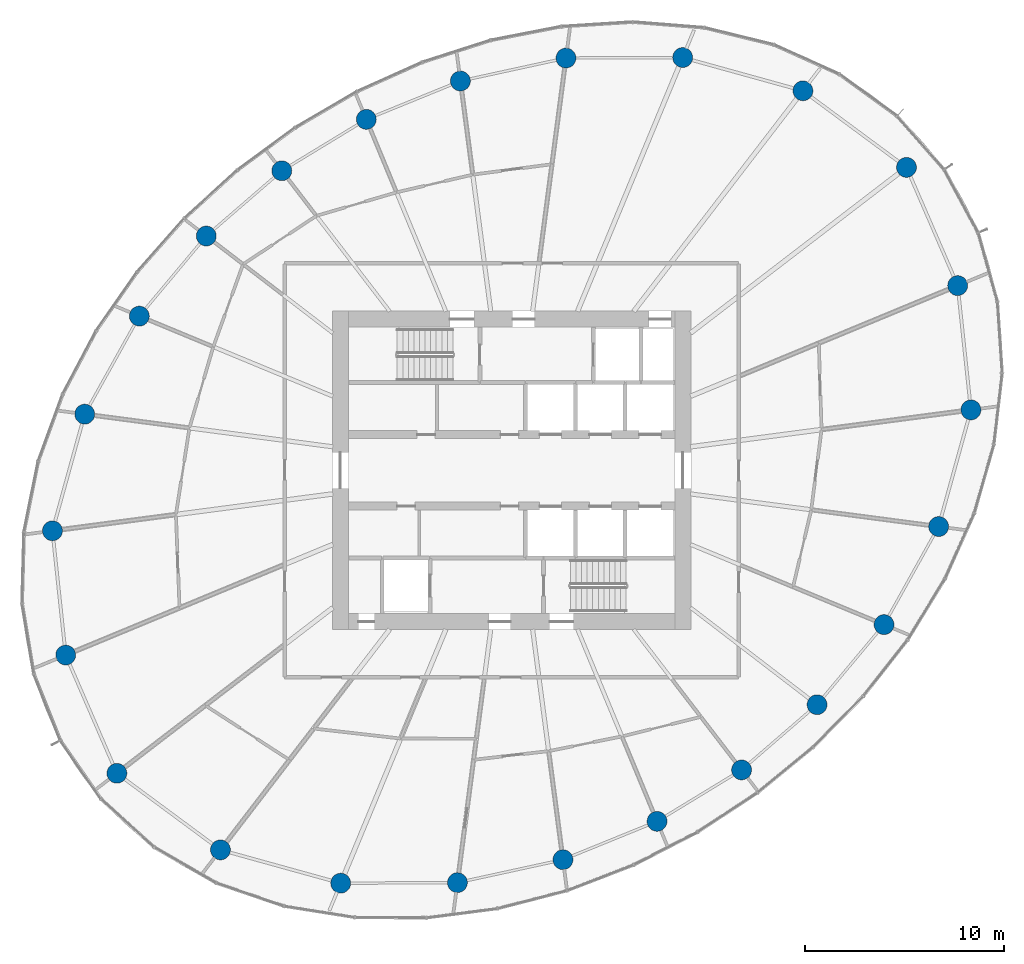
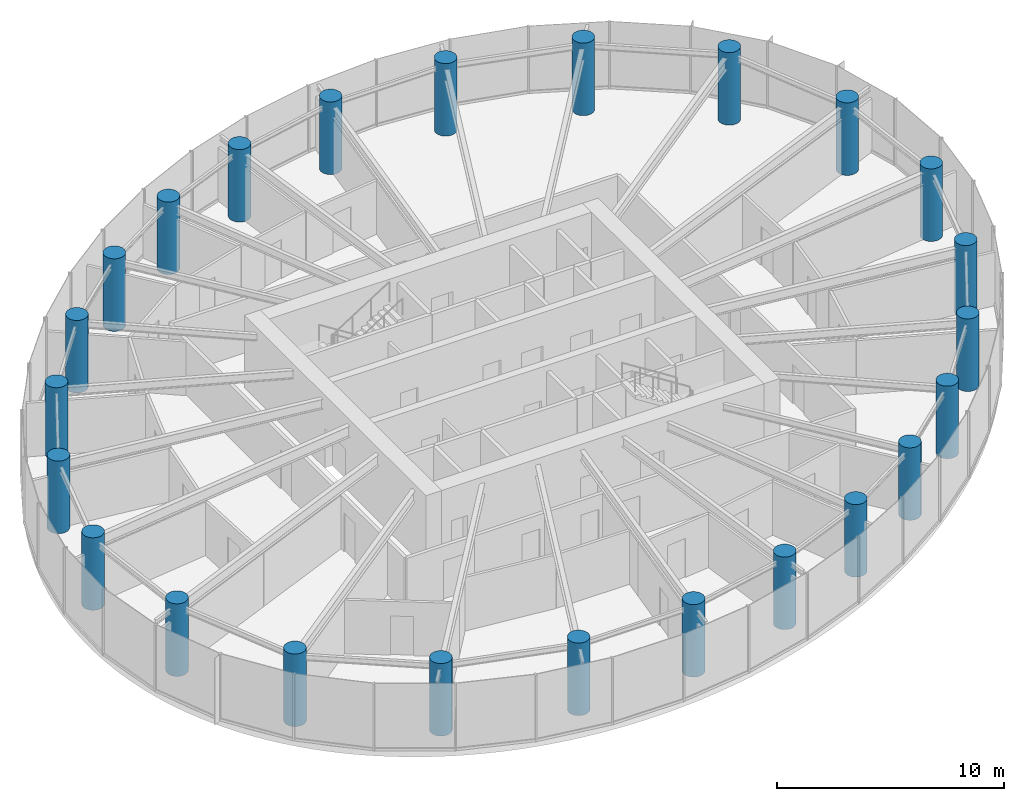
# One storey, part 1 of 14: 24 columns.
"""IFC4 building model written with IfcOpenShell, lengths in metres."""

from ifc_helpers import new_model, si_unit, direction, frame, origin, origin_2d, place, context, subcontext, project, spatial, circle, extrude, source, transform, mapped, material, material_profile, profile_set, type_object, element, save


model = new_model("IFC4")

# Units and contexts
model_context = context("Model", 3, precision=1e-05, world=origin(), true_north=direction((0.0, 1.0)))
body_context = subcontext(model_context, "Body", "Model", "MODEL_VIEW")
ifc_project = project(units=[si_unit("LENGTHUNIT", "METRE"), si_unit("AREAUNIT", "SQUARE_METRE"), si_unit("VOLUMEUNIT", "CUBIC_METRE"), si_unit("PLANEANGLEUNIT", "RADIAN"), si_unit("MASSUNIT", "GRAM", prefix="KILO")], contexts=[model_context])

# Site, building, storey
site_placement = place(None, origin())
site = spatial("IfcSite", under=ifc_project, at=site_placement, CompositionType="ELEMENT")
building_placement = place(site_placement, origin())
building = spatial("IfcBuilding", under=site, at=building_placement, Name="Spindrift Exchange Tower", CompositionType="ELEMENT")
storey_placement = place(building_placement, frame((0.0, 0.0, 160.39990234375)))
storey = spatial("IfcBuildingStorey", under=building, at=storey_placement, Name="L38", CompositionType="ELEMENT", Elevation=160.39990234375)

# Columns
ifc_material = material(Name="Concrete 50 MPa", Category="concrete")
ifc_material_profile = material_profile(ifc_material, circle(Radius=0.5, at=origin_2d()), Name="RC D1000")
ifc_profile_set = profile_set([ifc_material_profile], Name="Concrete 50 MPa")
column_type = type_object("IfcColumnType", Name="RC Perimeter Column D1000 Concrete 50 MPa", PredefinedType="COLUMN", material=ifc_profile_set)
shared_shape = source(origin(), body_context, "Body", "SweptSolid", [
    extrude(circle(Radius=0.5, at=origin_2d()), origin(), (0.0, 0.0, 1.0), 3.900146484375),
])
for number, where, z_axis, x_axis, name in (
    (1, (75.06201171875, 51.0361328125, 0.0), (0.0, 0.0, 1.0), (1.0, 0.0, 0.0), "Perimeter column P3-01 L38"),
    (2, (74.396728515625, 57.277099609375, 0.0), (0.0, 0.0, 1.0), (1.0, 0.0, 0.0), "Perimeter column P3-02 L38"),
    (3, (71.825927734375, 63.212890625, 0.0), (0.0, 0.0, 1.0), (1.0, 0.0, 0.0), "Perimeter column P3-03 L38"),
    (4, (66.625, 67.0595703125, 0.0), (0.0, 0.0, 1.0), (1.0, 0.0, 0.0), "Perimeter column P3-04 L38"),
    (5, (60.5869140625, 68.73095703125, 0.0), (0.0, 0.0, 1.0), (1.0, 0.0, 0.0), "Perimeter column P3-05 L38"),
    (6, (54.725830078125, 68.705322265625, 0.0), (0.0, 0.0, 1.0), (1.0, 0.0, 0.0), "Perimeter column P3-06 L38"),
    (7, (49.426025390625, 67.55126953125, 0.0), (0.0, 0.0, 1.0), (1.0, 0.0, 0.0), "Perimeter column P3-07 L38"),
    (8, (44.69921875, 65.625732421875, 0.0), (0.0, 0.0, 1.0), (1.0, 0.0, 0.0), "Perimeter column P3-08 L38"),
    (9, (40.4560546875, 63.04443359375, 0.0), (0.0, 0.0, 1.0), (1.0, 0.0, 0.0), "Perimeter column P3-09 L38"),
    (10, (36.663818359375, 59.76806640625, 0.0), (0.0, 0.0, 1.0), (1.0, 0.0, 0.0), "Perimeter column P3-10 L38"),
    (11, (33.30078125, 55.74560546875, 0.0), (0.0, 0.0, 1.0), (1.0, 0.0, 0.0), "Perimeter column P3-11 L38"),
    (12, (30.55908203125, 50.82275390625, 0.0), (0.0, 0.0, 1.0), (1.0, 0.0, 0.0), "Perimeter column P3-12 L38"),
    (13, (28.93798828125, 44.9638671875, 0.0), (0.0, 0.0, 1.0), (1.0, 0.0, 0.0), "Perimeter column P3-13 L38"),
    (14, (29.603271484375, 38.722900390625, 0.0), (0.0, 0.0, 1.0), (1.0, 0.0, 0.0), "Perimeter column P3-14 L38"),
    (15, (32.174072265625, 32.787109375, 0.0), (0.0, 0.0, 1.0), (1.0, 0.0, 0.0), "Perimeter column P3-15 L38"),
    (16, (37.375, 28.9404296875, 0.0), (0.0, 0.0, 1.0), (1.0, 0.0, 0.0), "Perimeter column P3-16 L38"),
    (17, (43.4130859375, 27.26904296875, 0.0), (0.0, 0.0, 1.0), (1.0, 0.0, 0.0), "Perimeter column P3-17 L38"),
    (18, (49.274169921875, 27.294677734375, 0.0), (0.0, 0.0, 1.0), (1.0, 0.0, 0.0), "Perimeter column P3-18 L38"),
    (19, (54.573974609375, 28.44873046875, 0.0), (0.0, 0.0, 1.0), (1.0, 0.0, 0.0), "Perimeter column P3-19 L38"),
    (20, (59.30078125, 30.374267578125, 0.0), (0.0, 0.0, 1.0), (1.0, 0.0, 0.0), "Perimeter column P3-20 L38"),
    (21, (63.5439453125, 32.95556640625, 0.0), (0.0, 0.0, 1.0), (1.0, 0.0, 0.0), "Perimeter column P3-21 L38"),
    (22, (67.336181640625, 36.23193359375, 0.0), (0.0, 0.0, 1.0), (1.0, 0.0, 0.0), "Perimeter column P3-22 L38"),
    (23, (70.69921875, 40.25439453125, 0.0), (0.0, 0.0, 1.0), (1.0, 0.0, 0.0), "Perimeter column P3-23 L38"),
    (24, (73.44091796875, 45.17724609375, 0.0), (0.0, 0.0, 1.0), (1.0, 0.0, 0.0), "Perimeter column P3-24 L38"),
):
    element("IfcColumn", number, at=place(storey_placement, frame(where, z_axis=z_axis, x_axis=x_axis)), inside=storey, type_object=column_type, Name=name, PredefinedType="COLUMN", context=body_context, shape_type="MappedRepresentation", body=[
        mapped(shared_shape, transform((0.0, 0.0, 0.0), scale=1.0)),
    ])

save(model, "model.ifc")
